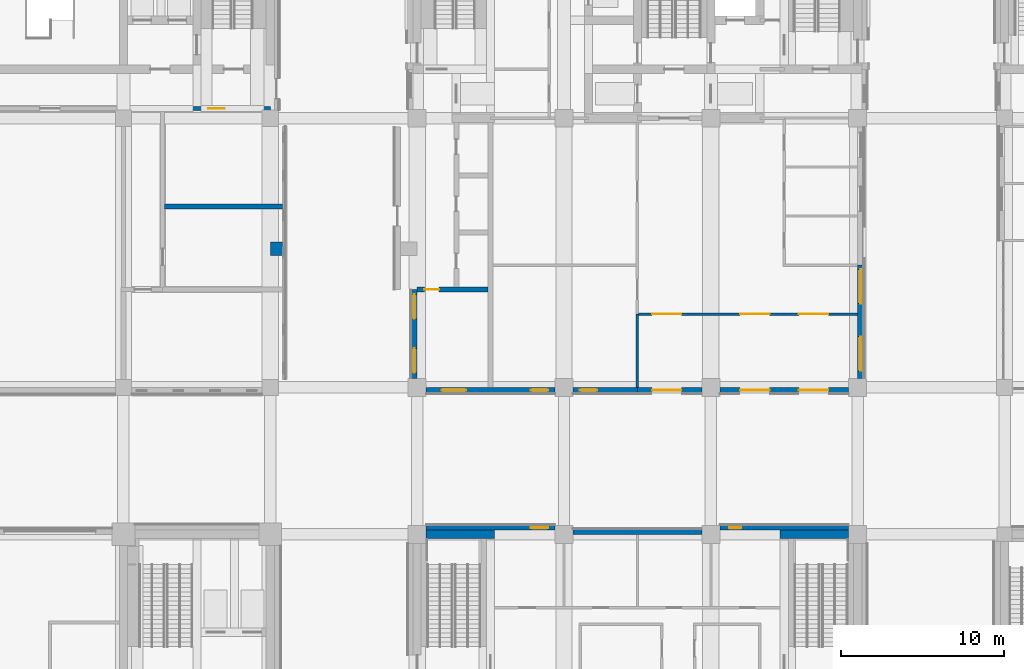
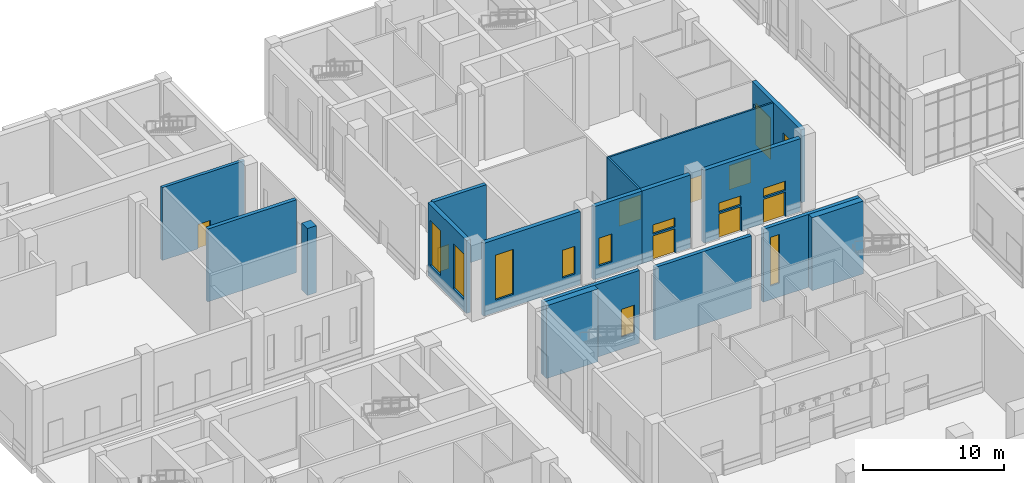
# One storey, part 12 of 35: 17 walls, 12 windows, 8 doors, 20 openings.
"""IFC4 building model written with IfcOpenShell, lengths in metres."""

import ifcopenshell
import ifcopenshell.guid

model = None  # the IFC model being written
_history = None  # IfcOwnerHistory: only IFC2X3 demands one
_inside = {}  # id of a spatial element -> (the spatial element, [elements in it])
_under = {}  # id of a project, library or spatial element -> (it, [spatial elements below it])
_declared = {}  # id of a project -> (the project, [libraries it declares])
_typed = {}  # id of a type object -> (the type object, [elements of that type])
_made_of = {}  # id of a material, layer set ... -> (it, [elements and type objects made of it])


def new_model(schema):
    """Start an empty IFC model of exactly this schema.

    Asked for "IFC4X3", IfcOpenShell would pick the latest addendum, in which some entities
    have other attributes; the version numbers below select the first issue.
    IFC2X3 requires an IfcOwnerHistory on every rooted entity: one is made here for all.
    """
    global model, _history
    if schema == "IFC4X3":
        model = ifcopenshell.file(schema_version=(4, 3, 0, 0))
    else:
        model = ifcopenshell.file(schema=schema)
    _inside.clear()
    _under.clear()
    _declared.clear()
    _typed.clear()
    _made_of.clear()
    _history = None
    if model.schema == "IFC2X3":
        org = make("IfcOrganization", Name="unknown")
        user = make(
            "IfcPersonAndOrganization",
            ThePerson=make("IfcPerson", FamilyName="unknown"),
            TheOrganization=org,
        )
        app = make(
            "IfcApplication",
            ApplicationDeveloper=org,
            Version="unknown",
            ApplicationFullName="unknown",
            ApplicationIdentifier="unknown",
        )
        _history = make(
            "IfcOwnerHistory",
            OwningUser=user,
            OwningApplication=app,
            ChangeAction="ADDED",
            CreationDate=0,
        )
    return model


def make(cls, **values):
    """One entity of the class cls with the attributes given. An attribute that is None is left unset."""
    return model.create_entity(
        cls, **{name: value for name, value in values.items() if value is not None}
    )


def rooted(cls, **values):
    """An entity with a GlobalId (a new one), such as an element, a storey or a relation."""
    return make(cls, GlobalId=ifcopenshell.guid.new(), OwnerHistory=_history, **values)


def si_unit(unit_type, name, prefix=None):
    """IfcSIUnit, for example si_unit("LENGTHUNIT", "METRE", prefix="MILLI")."""
    return make("IfcSIUnit", UnitType=unit_type, Prefix=prefix, Name=name)


def assignment(units):
    """IfcUnitAssignment: the units of a project."""
    return None if units is None else make("IfcUnitAssignment", Units=units)


def point(xyz):
    """IfcCartesianPoint."""
    return None if xyz is None else make("IfcCartesianPoint", Coordinates=xyz)


def direction(xyz):
    """IfcDirection."""
    return None if xyz is None else make("IfcDirection", DirectionRatios=xyz)


def frame(location, z_axis=None, x_axis=None):
    """IfcAxis2Placement3D, a coordinate frame: its origin and axes. An axis left out is left unset."""
    return make(
        "IfcAxis2Placement3D",
        Location=point(location),
        Axis=direction(z_axis),
        RefDirection=direction(x_axis),
    )


def frame_2d(location, x_axis=None):
    """IfcAxis2Placement2D, a coordinate frame in the plane: its origin and x axis."""
    return make(
        "IfcAxis2Placement2D", Location=point(location), RefDirection=direction(x_axis)
    )


def origin():
    """The frame at (0, 0, 0) with its axes left unset."""
    return frame((0.0, 0.0, 0.0))


def place(relative_to, where):
    """IfcLocalPlacement: puts the frame where relative to a parent placement (None: the world)."""
    return make(
        "IfcLocalPlacement", PlacementRelTo=relative_to, RelativePlacement=where
    )


def context(
    kind, dimensions, precision=None, world=None, true_north=None, identifier=None
):
    """IfcGeometricRepresentationContext, for example the 3D "Model" context."""
    return make(
        "IfcGeometricRepresentationContext",
        ContextIdentifier=identifier,
        ContextType=kind,
        CoordinateSpaceDimension=dimensions,
        Precision=precision,
        WorldCoordinateSystem=world,
        TrueNorth=true_north,
    )


def subcontext(parent, identifier, kind, view, scale=None):
    """IfcGeometricRepresentationSubContext, for example "Body" below "Model"."""
    return make(
        "IfcGeometricRepresentationSubContext",
        ContextIdentifier=identifier,
        ContextType=kind,
        ParentContext=parent,
        TargetScale=scale,
        TargetView=view,
    )


def project(units=None, contexts=None):
    """IfcProject with its units and contexts."""
    return rooted(
        "IfcProject",
        Name="project",
        RepresentationContexts=contexts,
        UnitsInContext=assignment(units),
    )


def spatial(cls, under=None, at=None, **own):
    """A site, building, storey or space (cls), placed at a placement, below another one or the project."""
    s = rooted(cls, ObjectPlacement=at, **own)
    if under is not None:
        _under.setdefault(under.id(), (under, []))[1].append(s)
    return s


def profile(cls, at=None, kind="AREA", **sizes):
    """A parametric profile (cls). Its sizes go by their IFC names, for example OverallWidth=200.0."""
    return make(cls, ProfileType=kind, Position=at, **sizes)


def rectangle(**sizes):
    """IfcRectangleProfileDef."""
    return profile("IfcRectangleProfileDef", **sizes)


def extrude(swept, where, along, depth):
    """IfcExtrudedAreaSolid: the profile swept, set in the frame where, extruded along a direction by depth."""
    return make(
        "IfcExtrudedAreaSolid",
        SweptArea=swept,
        Position=where,
        ExtrudedDirection=direction(along),
        Depth=depth,
    )


def shape(context_of_items, identifier, shape_type, items):
    """IfcShapeRepresentation: the items that make up one representation, for example the "Body"."""
    return make(
        "IfcShapeRepresentation",
        ContextOfItems=context_of_items,
        RepresentationIdentifier=identifier,
        RepresentationType=shape_type,
        Items=items,
    )


def material(Name=None, Category=None):
    """IfcMaterial."""
    return make("IfcMaterial", Name=Name, Category=Category)


def layer(
    of_material, thickness, ventilated=None, Name=None, Category=None, Priority=None
):
    """IfcMaterialLayer: one layer of a wall or slab, of a material (None: an air gap)."""
    return make(
        "IfcMaterialLayer",
        Material=of_material,
        LayerThickness=thickness,
        IsVentilated=ventilated,
        Name=Name,
        Category=Category,
        Priority=Priority,
    )


def layer_set(layers, Name=None):
    """IfcMaterialLayerSet."""
    return make("IfcMaterialLayerSet", MaterialLayers=layers, LayerSetName=Name)


def made_of(thing, what):
    """Note that an element or type object is made of a material, layer set ...; save() writes the relation."""
    if what is not None:
        _made_of.setdefault(what.id(), (what, []))[1].append(thing)
    return thing


def type_object(cls, material=None, **own):
    """A type object (cls), such as IfcWallType, which elements share."""
    return made_of(rooted(cls, **own), material)


def element(
    cls,
    number,
    at=None,
    inside=None,
    cuts=None,
    type_object=None,
    material=None,
    context=None,
    identifier="Body",
    shape_type=None,
    held_by="IfcProductDefinitionShape",
    body=None,
    shapes=None,
    **own,
):
    """One element of the class cls, such as IfcWall. Its Tag is "e" and its number.

    at: its placement. inside: the storey or other place that contains it. cuts: it is an
    opening in that element (IfcRelVoidsElement). A single representation is given by context,
    identifier, shape_type and body (its items); several are given by shapes. held_by: the class
    of the entity that holds the representations. save() writes the other relations.
    """
    e = rooted(cls, Tag="e%d" % number, ObjectPlacement=at, **own)
    if body is not None:
        shapes = [shape(context, identifier, shape_type, body)]
    if shapes is not None:
        e.Representation = make(held_by, Representations=shapes)
    if inside is not None:
        _inside.setdefault(inside.id(), (inside, []))[1].append(e)
    if cuts is not None:
        rooted(
            "IfcRelVoidsElement", RelatingBuildingElement=cuts, RelatedOpeningElement=e
        )
    if type_object is not None:
        _typed.setdefault(type_object.id(), (type_object, []))[1].append(e)
    return made_of(e, material)


def fill(opening, filler):
    """IfcRelFillsElement: the door or window that sits in an opening."""
    return rooted(
        "IfcRelFillsElement",
        RelatingOpeningElement=opening,
        RelatedBuildingElement=filler,
    )


def aggregate(whole, parts):
    """IfcRelAggregates: a whole, such as a stair, and the parts it consists of."""
    return rooted("IfcRelAggregates", RelatingObject=whole, RelatedObjects=parts)


def save(model, path):
    """Write the relations noted so far, then the file.

    IfcRelAggregates (storeys below a building ...), IfcRelContainedInSpatialStructure (elements
    in a storey), IfcRelDefinesByType, IfcRelAssociatesMaterial and IfcRelDeclares: one each for
    every whole, place, type object, material and project.
    """
    for whole, parts in _under.values():
        aggregate(whole, parts)
    for where, things in _inside.values():
        rooted(
            "IfcRelContainedInSpatialStructure",
            RelatedElements=things,
            RelatingStructure=where,
        )
    for kind, things in _typed.values():
        rooted("IfcRelDefinesByType", RelatedObjects=things, RelatingType=kind)
    for what, things in _made_of.values():
        rooted("IfcRelAssociatesMaterial", RelatedObjects=things, RelatingMaterial=what)
    for by, libraries in _declared.values():
        rooted("IfcRelDeclares", RelatingContext=by, RelatedDefinitions=libraries)
    model.write(path)


model = new_model("IFC4")

# Units and contexts
model_context = context("Model", 3, precision=1e-05, world=origin(), true_north=direction((0.0, 1.0)))
body_context = subcontext(model_context, "Body", "Model", "MODEL_VIEW")
ifc_project = project(units=[si_unit("LENGTHUNIT", "METRE"), si_unit("AREAUNIT", "SQUARE_METRE"), si_unit("VOLUMEUNIT", "CUBIC_METRE"), si_unit("PLANEANGLEUNIT", "RADIAN"), si_unit("MASSUNIT", "GRAM", prefix="KILO")], contexts=[model_context])

# Site, building, storey
site_placement = place(None, origin())
site = spatial("IfcSite", under=ifc_project, at=site_placement, CompositionType="ELEMENT")
building_placement = place(site_placement, origin())
building = spatial("IfcBuilding", under=site, at=building_placement, Name="Aurelan Courthouse", CompositionType="ELEMENT")
storey_placement = place(building_placement, origin())
storey = spatial("IfcBuildingStorey", under=building, at=storey_placement, Name="L00", CompositionType="ELEMENT", Elevation=0.0)

# Wall, opening, window
ifc_material_1 = material(Name="Limestone cladding", Category="masonry")
ifc_layer_1 = layer(ifc_material_1, 0.0849609375, Name="Facing")
ifc_material_2 = material(Name="Ventilated cavity")
ifc_layer_2 = layer(ifc_material_2, 0.02490234375, ventilated=True, Name="Ventilated cavity")
ifc_material_3 = material(Name="Mineral wool insulation")
ifc_layer_3 = layer(ifc_material_3, 0.044921875, Name="Insulation")
ifc_material_4 = material(Name="Concrete C30", Category="concrete")
ifc_layer_4 = layer(ifc_material_4, 0.14501953125, Name="Structure")
ifc_layer_set_1 = layer_set([ifc_layer_1, ifc_layer_2, ifc_layer_3, ifc_layer_4], Name="Concrete C30")
wall_type_1 = type_object("IfcWallType", Name="Ceremonial Court stone-faced wall 300", PredefinedType="SOLIDWALL", material=ifc_layer_set_1)
wall_1_placement = place(storey_placement, frame((36.550048828125, 28.89990234375, 0.0), z_axis=(0.0, 0.0, 1.0), x_axis=(1.0, 0.0, 0.0)))
wall_1 = element("IfcWall", 1, at=wall_1_placement, inside=storey, type_object=wall_type_1, Name="Facade wall FW-V1-L00-001", PredefinedType="SOLIDWALL", context=body_context, shape_type="SweptSolid", body=[
    extrude(rectangle(XDim=7.89990234375, YDim=0.300048828125, at=frame_2d((3.949951171875, 0.0))), origin(), (0.0, 0.0, 1.0), 6.300048828125),
])
opening_1_placement = place(wall_1_placement, frame((6.425048828125, 0.0, 1.050048828125)))
opening_1 = element("IfcOpeningElement", 2, at=opening_1_placement, cuts=wall_1, Name="Opening WN-V1-L00-001", PredefinedType="OPENING", context=body_context, shape_type="SweptSolid", body=[
    extrude(rectangle(XDim=1.050048828125, YDim=2.39990234375, at=frame_2d((0.52490234375, 1.199951171875))), frame((0.0, 0.159912109375, 0.0), z_axis=(0.0, -1.0, 0.0), x_axis=(1.0, 0.0, 0.0)), (0.0, 0.0, 1.0), 0.320068359375),
])
ifc_material_5 = material(Name="Bronze-finished aluminium and glass", Category="aluminium")
window_type_1 = type_object("IfcWindowType", Name="Ceremonial Court window 1050 x 2400, sill 1050", PartitioningType="SINGLE_PANEL", PredefinedType="WINDOW", material=ifc_material_5)
window_1_placement = place(opening_1_placement, origin())
window_1 = element("IfcWindow", 3, at=window_1_placement, inside=storey, type_object=window_type_1, Name="Window WN-V1-L00-001", OverallHeight=2.39990234375, OverallWidth=1.050048828125, PartitioningType="SINGLE_PANEL", PredefinedType="WINDOW", context=body_context, shape_type="SweptSolid", body=[
    extrude(rectangle(XDim=1.050048828125, YDim=2.39990234375, at=frame_2d((0.52490234375, 1.199951171875))), frame((0.0, 0.030029296875, 0.0), z_axis=(0.0, -1.0, 0.0), x_axis=(1.0, 0.0, 0.0)), (0.0, 0.0, 1.0), 0.06005859375),
])
fill(opening_1, window_1)

# Wall
wall_2_placement = place(storey_placement, frame((45.550048828125, 28.64990234375, 0.0), z_axis=(0.0, 0.0, 1.0), x_axis=(1.0, 0.0, 0.0)))
element("IfcWall", 4, at=wall_2_placement, inside=storey, type_object=wall_type_1, Name="Facade wall FW-V1-L00-002", PredefinedType="SOLIDWALL", context=body_context, shape_type="SweptSolid", body=[
    extrude(rectangle(XDim=7.89990234375, YDim=0.300048828125, at=frame_2d((3.949951171875, 0.0))), origin(), (0.0, 0.0, 1.0), 6.300048828125),
])

# Wall, opening, window
wall_3_placement = place(storey_placement, frame((54.550048828125, 28.89990234375, 0.0), z_axis=(0.0, 0.0, 1.0), x_axis=(1.0, 0.0, 0.0)))
wall_3 = element("IfcWall", 5, at=wall_3_placement, inside=storey, type_object=wall_type_1, Name="Facade wall FW-V1-L00-003", PredefinedType="SOLIDWALL", context=body_context, shape_type="SweptSolid", body=[
    extrude(rectangle(XDim=7.89990234375, YDim=0.300048828125, at=frame_2d((3.949951171875, 0.0))), origin(), (0.0, 0.0, 1.0), 6.300048828125),
])
opening_2_placement = place(wall_3_placement, frame((0.574951171875, 0.0, 1.199951171875)))
opening_2 = element("IfcOpeningElement", 6, at=opening_2_placement, cuts=wall_3, Name="Opening WN-V1-L00-002", PredefinedType="OPENING", context=body_context, shape_type="SweptSolid", body=[
    extrude(rectangle(XDim=0.75, YDim=4.199951171875, at=frame_2d((0.375, 2.10009765625))), frame((0.0, 0.159912109375, 0.0), z_axis=(0.0, -1.0, 0.0), x_axis=(1.0, 0.0, 0.0)), (0.0, 0.0, 1.0), 0.320068359375),
])
window_type_2 = type_object("IfcWindowType", Name="Ceremonial Court slit window 750 x 4200, sill 1200", PartitioningType="SINGLE_PANEL", PredefinedType="WINDOW", material=ifc_material_5)
window_2_placement = place(opening_2_placement, origin())
window_2 = element("IfcWindow", 7, at=window_2_placement, inside=storey, type_object=window_type_2, Name="Slit window WN-V1-L00-002", OverallHeight=4.199951171875, OverallWidth=0.75, PartitioningType="SINGLE_PANEL", PredefinedType="WINDOW", context=body_context, shape_type="SweptSolid", body=[
    extrude(rectangle(XDim=0.75, YDim=4.199951171875, at=frame_2d((0.375, 2.10009765625))), frame((0.0, 0.030029296875, 0.0), z_axis=(0.0, -1.0, 0.0), x_axis=(1.0, 0.0, 0.0)), (0.0, 0.0, 1.0), 0.06005859375),
])
fill(opening_2, window_2)

# Wall, openings, doors
ifc_material_6 = material(Name="Gypsum board on metal studs")
ifc_layer_5 = layer(ifc_material_6, 0.14990234375)
ifc_layer_set_2 = layer_set([ifc_layer_5], Name="Gypsum board on metal studs")
wall_type_2 = type_object("IfcWallType", Name="Corridor partition 150 EI 60", PredefinedType="PARTITIONING", material=ifc_layer_set_2)
wall_4_placement = place(storey_placement, frame((49.425048828125, 42.0, 0.0), z_axis=(0.0, 0.0, 1.0), x_axis=(1.0, 0.0, 0.0)))
wall_4 = element("IfcWall", 8, at=wall_4_placement, inside=storey, type_object=wall_type_2, Name="Corridor partition L00-024", PredefinedType="PARTITIONING", context=body_context, shape_type="SweptSolid", body=[
    extrude(rectangle(XDim=13.574951171875, YDim=0.14990234375, at=frame_2d((6.78759765625, 0.0))), origin(), (0.0, 0.0, 1.0), 6.300048828125),
])
opening_3_placement = place(wall_4_placement, frame((2.775146484375, 0.0, 0.0), z_axis=(0.0, 0.0, 1.0), x_axis=(-1.0, 0.0, 0.0)))
opening_3 = element("IfcOpeningElement", 9, at=opening_3_placement, cuts=wall_4, Name="Opening D-L00-038", PredefinedType="OPENING", context=body_context, shape_type="SweptSolid", body=[
    extrude(rectangle(XDim=1.800048828125, YDim=2.10009765625, at=frame_2d((0.89990234375, 1.050048828125))), frame((0.0, 0.0849609375, 0.0), z_axis=(0.0, -1.0, 0.0), x_axis=(1.0, 0.0, 0.0)), (0.0, 0.0, 1.0), 0.169921875),
])
opening_4_placement = place(wall_4_placement, frame((8.175048828125, 0.0, 0.0), z_axis=(0.0, 0.0, 1.0), x_axis=(-1.0, 0.0, 0.0)))
opening_4 = element("IfcOpeningElement", 10, at=opening_4_placement, cuts=wall_4, Name="Opening D-L00-040", PredefinedType="OPENING", context=body_context, shape_type="SweptSolid", body=[
    extrude(rectangle(XDim=1.800048828125, YDim=2.10009765625, at=frame_2d((0.89990234375, 1.050048828125))), frame((0.0, 0.0849609375, 0.0), z_axis=(0.0, -1.0, 0.0), x_axis=(1.0, 0.0, 0.0)), (0.0, 0.0, 1.0), 0.169921875),
])
opening_5_placement = place(wall_4_placement, frame((11.775146484375, 0.0, 0.0), z_axis=(0.0, 0.0, 1.0), x_axis=(-1.0, 0.0, 0.0)))
opening_5 = element("IfcOpeningElement", 11, at=opening_5_placement, cuts=wall_4, Name="Opening D-L00-042", PredefinedType="OPENING", context=body_context, shape_type="SweptSolid", body=[
    extrude(rectangle(XDim=1.800048828125, YDim=2.10009765625, at=frame_2d((0.89990234375, 1.050048828125))), frame((0.0, 0.0849609375, 0.0), z_axis=(0.0, -1.0, 0.0), x_axis=(1.0, 0.0, 0.0)), (0.0, 0.0, 1.0), 0.169921875),
])
ifc_material_7 = material(Name="Steel", Category="steel")
door_type_1 = type_object("IfcDoorType", Name="Double door 1800 x 2100 FD60", OperationType="DOUBLE_DOOR_SINGLE_SWING", PredefinedType="DOOR", material=ifc_material_7)
door_1_placement = place(opening_3_placement, origin())
door_1 = element("IfcDoor", 12, at=door_1_placement, inside=storey, type_object=door_type_1, Name="Double door D-L00-038", OperationType="DOUBLE_DOOR_SINGLE_SWING", OverallHeight=2.10009765625, OverallWidth=1.800048828125, PredefinedType="DOOR", context=body_context, shape_type="SweptSolid", body=[
    extrude(rectangle(XDim=1.800048828125, YDim=2.10009765625, at=frame_2d((0.89990234375, 1.050048828125))), frame((0.0, 0.02490234375, 0.0), z_axis=(0.0, -1.0, 0.0), x_axis=(1.0, 0.0, 0.0)), (0.0, 0.0, 1.0), 0.050048828125),
])
fill(opening_3, door_1)
door_2_placement = place(opening_4_placement, origin())
door_2 = element("IfcDoor", 13, at=door_2_placement, inside=storey, type_object=door_type_1, Name="Double door D-L00-040", OperationType="DOUBLE_DOOR_SINGLE_SWING", OverallHeight=2.10009765625, OverallWidth=1.800048828125, PredefinedType="DOOR", context=body_context, shape_type="SweptSolid", body=[
    extrude(rectangle(XDim=1.800048828125, YDim=2.10009765625, at=frame_2d((0.89990234375, 1.050048828125))), frame((0.0, 0.02490234375, 0.0), z_axis=(0.0, -1.0, 0.0), x_axis=(1.0, 0.0, 0.0)), (0.0, 0.0, 1.0), 0.050048828125),
])
fill(opening_4, door_2)
door_3_placement = place(opening_5_placement, origin())
door_3 = element("IfcDoor", 14, at=door_3_placement, inside=storey, type_object=door_type_1, Name="Double door D-L00-042", OperationType="DOUBLE_DOOR_SINGLE_SWING", OverallHeight=2.10009765625, OverallWidth=1.800048828125, PredefinedType="DOOR", context=body_context, shape_type="SweptSolid", body=[
    extrude(rectangle(XDim=1.800048828125, YDim=2.10009765625, at=frame_2d((0.89990234375, 1.050048828125))), frame((0.0, 0.02490234375, 0.0), z_axis=(0.0, -1.0, 0.0), x_axis=(1.0, 0.0, 0.0)), (0.0, 0.0, 1.0), 0.050048828125),
])
fill(opening_5, door_3)

# Wall, openings, windows
ifc_material_8 = material(Name="Granite cladding", Category="masonry")
ifc_layer_6 = layer(ifc_material_8, 0.10009765625, Name="Facing")
ifc_layer_7 = layer(ifc_material_2, 0.02490234375, ventilated=True, Name="Ventilated cavity")
ifc_layer_8 = layer(ifc_material_3, 0.050048828125, Name="Insulation")
ifc_layer_9 = layer(ifc_material_4, 0.175048828125, Name="Structure")
ifc_layer_set_3 = layer_set([ifc_layer_6, ifc_layer_7, ifc_layer_8, ifc_layer_9], Name="Concrete C30")
wall_type_3 = type_object("IfcWallType", Name="Courtroom Block granite-faced wall 350", PredefinedType="SOLIDWALL", material=ifc_layer_set_3)
wall_5_placement = place(storey_placement, frame((36.550048828125, 37.324951171875, 0.0), z_axis=(0.0, 0.0, 1.0), x_axis=(1.0, 0.0, 0.0)))
wall_5 = element("IfcWall", 15, at=wall_5_placement, inside=storey, type_object=wall_type_3, Name="Facade wall FW-V2-L00-001", PredefinedType="SOLIDWALL", context=body_context, shape_type="SweptSolid", body=[
    extrude(rectangle(XDim=7.89990234375, YDim=0.35009765625, at=frame_2d((3.949951171875, 0.0))), origin(), (0.0, 0.0, 1.0), 6.300048828125),
])
opening_6_placement = place(wall_5_placement, frame((6.425048828125, 0.0, 1.050048828125)))
opening_6 = element("IfcOpeningElement", 16, at=opening_6_placement, cuts=wall_5, Name="Opening WN-V2-L00-001", PredefinedType="OPENING", context=body_context, shape_type="SweptSolid", body=[
    extrude(rectangle(XDim=1.050048828125, YDim=2.39990234375, at=frame_2d((0.52490234375, 1.199951171875))), frame((0.0, 0.18505859375, 0.0), z_axis=(0.0, -1.0, 0.0), x_axis=(1.0, 0.0, 0.0)), (0.0, 0.0, 1.0), 0.3701171875),
])
opening_7_placement = place(wall_5_placement, frame((0.949951171875, 0.0, 1.050048828125)))
opening_7 = element("IfcOpeningElement", 17, at=opening_7_placement, cuts=wall_5, Name="Opening WN-V2-L00-002", PredefinedType="OPENING", context=body_context, shape_type="SweptSolid", body=[
    extrude(rectangle(XDim=1.5, YDim=3.89990234375, at=frame_2d((0.75, 1.949951171875))), frame((0.0, 0.18505859375, 0.0), z_axis=(0.0, -1.0, 0.0), x_axis=(1.0, 0.0, 0.0)), (0.0, 0.0, 1.0), 0.3701171875),
])
window_type_3 = type_object("IfcWindowType", Name="Courtroom Block glazed slot 1500 x 3900, sill 1050", PartitioningType="SINGLE_PANEL", PredefinedType="WINDOW", material=ifc_material_5)
window_3_placement = place(opening_7_placement, origin())
window_3 = element("IfcWindow", 18, at=window_3_placement, inside=storey, type_object=window_type_3, Name="Glazed slot WN-V2-L00-002", OverallHeight=3.89990234375, OverallWidth=1.5, PartitioningType="SINGLE_PANEL", PredefinedType="WINDOW", context=body_context, shape_type="SweptSolid", body=[
    extrude(rectangle(XDim=1.5, YDim=3.89990234375, at=frame_2d((0.75, 1.949951171875))), frame((0.0, 0.030029296875, 0.0), z_axis=(0.0, -1.0, 0.0), x_axis=(1.0, 0.0, 0.0)), (0.0, 0.0, 1.0), 0.06005859375),
])
fill(opening_7, window_3)
window_type_4 = type_object("IfcWindowType", Name="Courtroom Block window 1050 x 2400, sill 1050", PartitioningType="SINGLE_PANEL", PredefinedType="WINDOW", material=ifc_material_5)
window_4_placement = place(opening_6_placement, origin())
window_4 = element("IfcWindow", 19, at=window_4_placement, inside=storey, type_object=window_type_4, Name="Window WN-V2-L00-001", OverallHeight=2.39990234375, OverallWidth=1.050048828125, PartitioningType="SINGLE_PANEL", PredefinedType="WINDOW", context=body_context, shape_type="SweptSolid", body=[
    extrude(rectangle(XDim=1.050048828125, YDim=2.39990234375, at=frame_2d((0.52490234375, 1.199951171875))), frame((0.0, 0.030029296875, 0.0), z_axis=(0.0, -1.0, 0.0), x_axis=(1.0, 0.0, 0.0)), (0.0, 0.0, 1.0), 0.06005859375),
])
fill(opening_6, window_4)

# Wall, opening, window
wall_6_placement = place(storey_placement, frame((45.550048828125, 37.324951171875, 0.0), z_axis=(0.0, 0.0, 1.0), x_axis=(1.0, 0.0, 0.0)))
wall_6 = element("IfcWall", 20, at=wall_6_placement, inside=storey, type_object=wall_type_3, Name="Facade wall FW-V2-L00-002", PredefinedType="SOLIDWALL", context=body_context, shape_type="SweptSolid", body=[
    extrude(rectangle(XDim=3.949951171875, YDim=0.35009765625, at=frame_2d((1.97509765625, 0.0))), origin(), (0.0, 0.0, 1.0), 6.300048828125),
])
opening_8_placement = place(wall_6_placement, frame((0.425048828125, 0.0, 1.050048828125)))
opening_8 = element("IfcOpeningElement", 21, at=opening_8_placement, cuts=wall_6, Name="Opening WN-V2-L00-003", PredefinedType="OPENING", context=body_context, shape_type="SweptSolid", body=[
    extrude(rectangle(XDim=1.050048828125, YDim=2.39990234375, at=frame_2d((0.52490234375, 1.199951171875))), frame((0.0, 0.18505859375, 0.0), z_axis=(0.0, -1.0, 0.0), x_axis=(1.0, 0.0, 0.0)), (0.0, 0.0, 1.0), 0.3701171875),
])
window_5_placement = place(opening_8_placement, origin())
window_5 = element("IfcWindow", 22, at=window_5_placement, inside=storey, type_object=window_type_4, Name="Window WN-V2-L00-003", OverallHeight=2.39990234375, OverallWidth=1.050048828125, PartitioningType="SINGLE_PANEL", PredefinedType="WINDOW", context=body_context, shape_type="SweptSolid", body=[
    extrude(rectangle(XDim=1.050048828125, YDim=2.39990234375, at=frame_2d((0.52490234375, 1.199951171875))), frame((0.0, 0.030029296875, 0.0), z_axis=(0.0, -1.0, 0.0), x_axis=(1.0, 0.0, 0.0)), (0.0, 0.0, 1.0), 0.06005859375),
])
fill(opening_8, window_5)

# Wall, openings, door, window
wall_7_placement = place(storey_placement, frame((49.5, 37.324951171875, 0.0), z_axis=(0.0, 0.0, 1.0), x_axis=(1.0, 0.0, 0.0)))
wall_7 = element("IfcWall", 23, at=wall_7_placement, inside=storey, type_object=wall_type_3, Name="Facade wall FW-V2-L00-003", PredefinedType="SOLIDWALL", context=body_context, shape_type="SweptSolid", body=[
    extrude(rectangle(XDim=3.949951171875, YDim=0.35009765625, at=frame_2d((1.97509765625, 0.0))), origin(), (0.0, 0.0, 1.0), 6.300048828125),
])
opening_9_placement = place(wall_7_placement, frame((2.699951171875, 0.0, 0.0), z_axis=(0.0, 0.0, 1.0), x_axis=(-1.0, 0.0, 0.0)))
opening_9 = element("IfcOpeningElement", 24, at=opening_9_placement, cuts=wall_7, Name="Opening D-L00-037", PredefinedType="OPENING", context=body_context, shape_type="SweptSolid", body=[
    extrude(rectangle(XDim=1.800048828125, YDim=2.10009765625, at=frame_2d((0.89990234375, 1.050048828125))), frame((0.0, 0.18505859375, 0.0), z_axis=(0.0, -1.0, 0.0), x_axis=(1.0, 0.0, 0.0)), (0.0, 0.0, 1.0), 0.3701171875),
])
opening_10_placement = place(wall_7_placement, frame((0.89990234375, 0.0, 2.25)))
opening_10 = element("IfcOpeningElement", 25, at=opening_10_placement, cuts=wall_7, Name="Opening WN-V2-L00-004", PredefinedType="OPENING", context=body_context, shape_type="SweptSolid", body=[
    extrude(rectangle(XDim=1.800048828125, YDim=0.800048828125, at=frame_2d((0.89990234375, 0.39990234375))), frame((0.0, 0.18505859375, 0.0), z_axis=(0.0, -1.0, 0.0), x_axis=(1.0, 0.0, 0.0)), (0.0, 0.0, 1.0), 0.3701171875),
])
ifc_material_9 = material(Name="Bronze-clad timber", Category="wood")
door_type_2 = type_object("IfcDoorType", Name="Bronze double door 1800 x 2100", OperationType="SINGLE_SWING_LEFT", PredefinedType="DOOR", material=ifc_material_9)
door_4_placement = place(opening_9_placement, origin())
door_4 = element("IfcDoor", 26, at=door_4_placement, inside=storey, type_object=door_type_2, Name="Entrance door D-L00-037", OperationType="DOUBLE_DOOR_SINGLE_SWING", OverallHeight=2.10009765625, OverallWidth=1.800048828125, PredefinedType="DOOR", context=body_context, shape_type="SweptSolid", body=[
    extrude(rectangle(XDim=1.800048828125, YDim=2.10009765625, at=frame_2d((0.89990234375, 1.050048828125))), frame((0.0, 0.02490234375, 0.0), z_axis=(0.0, -1.0, 0.0), x_axis=(1.0, 0.0, 0.0)), (0.0, 0.0, 1.0), 0.050048828125),
])
fill(opening_9, door_4)
window_type_5 = type_object("IfcWindowType", Name="Courtroom Block transom light 1800 x 800, sill 2250", PartitioningType="SINGLE_PANEL", PredefinedType="WINDOW", material=ifc_material_5)
window_6_placement = place(opening_10_placement, origin())
window_6 = element("IfcWindow", 27, at=window_6_placement, inside=storey, type_object=window_type_5, Name="Transom light WN-V2-L00-004", OverallHeight=0.800048828125, OverallWidth=1.800048828125, PartitioningType="SINGLE_PANEL", PredefinedType="WINDOW", context=body_context, shape_type="SweptSolid", body=[
    extrude(rectangle(XDim=1.800048828125, YDim=0.800048828125, at=frame_2d((0.89990234375, 0.39990234375))), frame((0.0, 0.030029296875, 0.0), z_axis=(0.0, -1.0, 0.0), x_axis=(1.0, 0.0, 0.0)), (0.0, 0.0, 1.0), 0.06005859375),
])
fill(opening_10, window_6)

# Wall, openings, doors, windows
wall_8_placement = place(storey_placement, frame((54.550048828125, 37.324951171875, 0.0), z_axis=(0.0, 0.0, 1.0), x_axis=(1.0, 0.0, 0.0)))
wall_8 = element("IfcWall", 28, at=wall_8_placement, inside=storey, type_object=wall_type_3, Name="Facade wall FW-V2-L00-004", PredefinedType="SOLIDWALL", context=body_context, shape_type="SweptSolid", body=[
    extrude(rectangle(XDim=7.89990234375, YDim=0.35009765625, at=frame_2d((3.949951171875, 0.0))), origin(), (0.0, 0.0, 1.0), 6.300048828125),
])
opening_11_placement = place(wall_8_placement, frame((3.050048828125, 0.0, 0.0), z_axis=(0.0, 0.0, 1.0), x_axis=(-1.0, 0.0, 0.0)))
opening_11 = element("IfcOpeningElement", 29, at=opening_11_placement, cuts=wall_8, Name="Opening D-L00-039", PredefinedType="OPENING", context=body_context, shape_type="SweptSolid", body=[
    extrude(rectangle(XDim=1.800048828125, YDim=2.10009765625, at=frame_2d((0.89990234375, 1.050048828125))), frame((0.0, 0.18505859375, 0.0), z_axis=(0.0, -1.0, 0.0), x_axis=(1.0, 0.0, 0.0)), (0.0, 0.0, 1.0), 0.3701171875),
])
opening_12_placement = place(wall_8_placement, frame((1.25, 0.0, 2.25)))
opening_12 = element("IfcOpeningElement", 30, at=opening_12_placement, cuts=wall_8, Name="Opening WN-V2-L00-005", PredefinedType="OPENING", context=body_context, shape_type="SweptSolid", body=[
    extrude(rectangle(XDim=1.800048828125, YDim=0.800048828125, at=frame_2d((0.89990234375, 0.39990234375))), frame((0.0, 0.18505859375, 0.0), z_axis=(0.0, -1.0, 0.0), x_axis=(1.0, 0.0, 0.0)), (0.0, 0.0, 1.0), 0.3701171875),
])
opening_13_placement = place(wall_8_placement, frame((6.650146484375, 0.0, 0.0), z_axis=(0.0, 0.0, 1.0), x_axis=(-1.0, 0.0, 0.0)))
opening_13 = element("IfcOpeningElement", 31, at=opening_13_placement, cuts=wall_8, Name="Opening D-L00-041", PredefinedType="OPENING", context=body_context, shape_type="SweptSolid", body=[
    extrude(rectangle(XDim=1.800048828125, YDim=2.10009765625, at=frame_2d((0.89990234375, 1.050048828125))), frame((0.0, 0.18505859375, 0.0), z_axis=(0.0, -1.0, 0.0), x_axis=(1.0, 0.0, 0.0)), (0.0, 0.0, 1.0), 0.3701171875),
])
opening_14_placement = place(wall_8_placement, frame((4.85009765625, 0.0, 2.25)))
opening_14 = element("IfcOpeningElement", 32, at=opening_14_placement, cuts=wall_8, Name="Opening WN-V2-L00-006", PredefinedType="OPENING", context=body_context, shape_type="SweptSolid", body=[
    extrude(rectangle(XDim=1.800048828125, YDim=0.800048828125, at=frame_2d((0.89990234375, 0.39990234375))), frame((0.0, 0.18505859375, 0.0), z_axis=(0.0, -1.0, 0.0), x_axis=(1.0, 0.0, 0.0)), (0.0, 0.0, 1.0), 0.3701171875),
])
door_5_placement = place(opening_11_placement, origin())
door_5 = element("IfcDoor", 33, at=door_5_placement, inside=storey, type_object=door_type_2, Name="Entrance door D-L00-039", OperationType="DOUBLE_DOOR_SINGLE_SWING", OverallHeight=2.10009765625, OverallWidth=1.800048828125, PredefinedType="DOOR", context=body_context, shape_type="SweptSolid", body=[
    extrude(rectangle(XDim=1.800048828125, YDim=2.10009765625, at=frame_2d((0.89990234375, 1.050048828125))), frame((0.0, 0.02490234375, 0.0), z_axis=(0.0, -1.0, 0.0), x_axis=(1.0, 0.0, 0.0)), (0.0, 0.0, 1.0), 0.050048828125),
])
fill(opening_11, door_5)
door_6_placement = place(opening_13_placement, origin())
door_6 = element("IfcDoor", 34, at=door_6_placement, inside=storey, type_object=door_type_2, Name="Entrance door D-L00-041", OperationType="DOUBLE_DOOR_SINGLE_SWING", OverallHeight=2.10009765625, OverallWidth=1.800048828125, PredefinedType="DOOR", context=body_context, shape_type="SweptSolid", body=[
    extrude(rectangle(XDim=1.800048828125, YDim=2.10009765625, at=frame_2d((0.89990234375, 1.050048828125))), frame((0.0, 0.02490234375, 0.0), z_axis=(0.0, -1.0, 0.0), x_axis=(1.0, 0.0, 0.0)), (0.0, 0.0, 1.0), 0.050048828125),
])
fill(opening_13, door_6)
window_7_placement = place(opening_12_placement, origin())
window_7 = element("IfcWindow", 35, at=window_7_placement, inside=storey, type_object=window_type_5, Name="Transom light WN-V2-L00-005", OverallHeight=0.800048828125, OverallWidth=1.800048828125, PartitioningType="SINGLE_PANEL", PredefinedType="WINDOW", context=body_context, shape_type="SweptSolid", body=[
    extrude(rectangle(XDim=1.800048828125, YDim=0.800048828125, at=frame_2d((0.89990234375, 0.39990234375))), frame((0.0, 0.030029296875, 0.0), z_axis=(0.0, -1.0, 0.0), x_axis=(1.0, 0.0, 0.0)), (0.0, 0.0, 1.0), 0.06005859375),
])
fill(opening_12, window_7)
window_8_placement = place(opening_14_placement, origin())
window_8 = element("IfcWindow", 36, at=window_8_placement, inside=storey, type_object=window_type_5, Name="Transom light WN-V2-L00-006", OverallHeight=0.800048828125, OverallWidth=1.800048828125, PartitioningType="SINGLE_PANEL", PredefinedType="WINDOW", context=body_context, shape_type="SweptSolid", body=[
    extrude(rectangle(XDim=1.800048828125, YDim=0.800048828125, at=frame_2d((0.89990234375, 0.39990234375))), frame((0.0, 0.030029296875, 0.0), z_axis=(0.0, -1.0, 0.0), x_axis=(1.0, 0.0, 0.0)), (0.0, 0.0, 1.0), 0.06005859375),
])
fill(opening_14, window_8)

# Wall, openings, windows
wall_9_placement = place(storey_placement, frame((63.175048828125, 38.050048828125, 0.0), z_axis=(0.0, 0.0, 1.0), x_axis=(0.0, 1.0, 0.0)))
wall_9 = element("IfcWall", 37, at=wall_9_placement, inside=storey, type_object=wall_type_3, Name="Facade wall FW-V2-L00-008", PredefinedType="SOLIDWALL", context=body_context, shape_type="SweptSolid", body=[
    extrude(rectangle(XDim=6.949951171875, YDim=0.35009765625, at=frame_2d((3.47509765625, 0.0))), origin(), (0.0, 0.0, 1.0), 6.300048828125),
])
opening_15_placement = place(wall_9_placement, frame((0.46240234375, 0.0, 0.89990234375)))
opening_15 = element("IfcOpeningElement", 38, at=opening_15_placement, cuts=wall_9, Name="Opening WN-V2-L00-008", PredefinedType="OPENING", context=body_context, shape_type="SweptSolid", body=[
    extrude(rectangle(XDim=2.10009765625, YDim=3.60009765625, at=frame_2d((1.050048828125, 1.800048828125))), frame((0.0, 0.18505859375, 0.0), z_axis=(0.0, -1.0, 0.0), x_axis=(1.0, 0.0, 0.0)), (0.0, 0.0, 1.0), 0.3701171875),
])
opening_16_placement = place(wall_9_placement, frame((4.58740234375, 0.0, 0.89990234375)))
opening_16 = element("IfcOpeningElement", 39, at=opening_16_placement, cuts=wall_9, Name="Opening WN-V2-L00-009", PredefinedType="OPENING", context=body_context, shape_type="SweptSolid", body=[
    extrude(rectangle(XDim=2.10009765625, YDim=3.60009765625, at=frame_2d((1.050048828125, 1.800048828125))), frame((0.0, 0.18505859375, 0.0), z_axis=(0.0, -1.0, 0.0), x_axis=(1.0, 0.0, 0.0)), (0.0, 0.0, 1.0), 0.3701171875),
])
window_type_6 = type_object("IfcWindowType", Name="Courtroom Block window 2100 x 3600, sill 900", PartitioningType="SINGLE_PANEL", PredefinedType="WINDOW", material=ifc_material_5)
window_9_placement = place(opening_15_placement, origin())
window_9 = element("IfcWindow", 40, at=window_9_placement, inside=storey, type_object=window_type_6, Name="Window WN-V2-L00-008", OverallHeight=3.60009765625, OverallWidth=2.10009765625, PartitioningType="SINGLE_PANEL", PredefinedType="WINDOW", context=body_context, shape_type="SweptSolid", body=[
    extrude(rectangle(XDim=2.10009765625, YDim=3.60009765625, at=frame_2d((1.050048828125, 1.800048828125))), frame((0.0, 0.030029296875, 0.0), z_axis=(0.0, -1.0, 0.0), x_axis=(1.0, 0.0, 0.0)), (0.0, 0.0, 1.0), 0.06005859375),
])
fill(opening_15, window_9)
window_10_placement = place(opening_16_placement, origin())
window_10 = element("IfcWindow", 41, at=window_10_placement, inside=storey, type_object=window_type_6, Name="Window WN-V2-L00-009", OverallHeight=3.60009765625, OverallWidth=2.10009765625, PartitioningType="SINGLE_PANEL", PredefinedType="WINDOW", context=body_context, shape_type="SweptSolid", body=[
    extrude(rectangle(XDim=2.10009765625, YDim=3.60009765625, at=frame_2d((1.050048828125, 1.800048828125))), frame((0.0, 0.030029296875, 0.0), z_axis=(0.0, -1.0, 0.0), x_axis=(1.0, 0.0, 0.0)), (0.0, 0.0, 1.0), 0.06005859375),
])
fill(opening_16, window_10)

wall_10_placement = place(storey_placement, frame((35.824951171875, 38.050048828125, 0.0), z_axis=(0.0, 0.0, 1.0), x_axis=(0.0, 1.0, 0.0)))
wall_10 = element("IfcWall", 42, at=wall_10_placement, inside=storey, type_object=wall_type_3, Name="Facade wall FW-V2-L00-013", PredefinedType="SOLIDWALL", context=body_context, shape_type="SweptSolid", body=[
    extrude(rectangle(XDim=5.449951171875, YDim=0.35009765625, at=frame_2d((2.72509765625, 0.0))), origin(), (0.0, 0.0, 1.0), 6.300048828125),
])
opening_17_placement = place(wall_10_placement, frame((0.35009765625, 0.0, 1.050048828125)))
opening_17 = element("IfcOpeningElement", 43, at=opening_17_placement, cuts=wall_10, Name="Opening WN-V2-L00-013", PredefinedType="OPENING", context=body_context, shape_type="SweptSolid", body=[
    extrude(rectangle(XDim=1.5, YDim=3.89990234375, at=frame_2d((0.75, 1.949951171875))), frame((0.0, 0.18505859375, 0.0), z_axis=(0.0, -1.0, 0.0), x_axis=(1.0, 0.0, 0.0)), (0.0, 0.0, 1.0), 0.3701171875),
])
opening_18_placement = place(wall_10_placement, frame((3.64990234375, 0.0, 1.050048828125)))
opening_18 = element("IfcOpeningElement", 44, at=opening_18_placement, cuts=wall_10, Name="Opening WN-V2-L00-014", PredefinedType="OPENING", context=body_context, shape_type="SweptSolid", body=[
    extrude(rectangle(XDim=1.5, YDim=3.89990234375, at=frame_2d((0.75, 1.949951171875))), frame((0.0, 0.18505859375, 0.0), z_axis=(0.0, -1.0, 0.0), x_axis=(1.0, 0.0, 0.0)), (0.0, 0.0, 1.0), 0.3701171875),
])
window_11_placement = place(opening_17_placement, origin())
window_11 = element("IfcWindow", 45, at=window_11_placement, inside=storey, type_object=window_type_3, Name="Glazed slot WN-V2-L00-013", OverallHeight=3.89990234375, OverallWidth=1.5, PartitioningType="SINGLE_PANEL", PredefinedType="WINDOW", context=body_context, shape_type="SweptSolid", body=[
    extrude(rectangle(XDim=1.5, YDim=3.89990234375, at=frame_2d((0.75, 1.949951171875))), frame((0.0, 0.030029296875, 0.0), z_axis=(0.0, -1.0, 0.0), x_axis=(1.0, 0.0, 0.0)), (0.0, 0.0, 1.0), 0.06005859375),
])
fill(opening_17, window_11)
window_12_placement = place(opening_18_placement, origin())
window_12 = element("IfcWindow", 46, at=window_12_placement, inside=storey, type_object=window_type_3, Name="Glazed slot WN-V2-L00-014", OverallHeight=3.89990234375, OverallWidth=1.5, PartitioningType="SINGLE_PANEL", PredefinedType="WINDOW", context=body_context, shape_type="SweptSolid", body=[
    extrude(rectangle(XDim=1.5, YDim=3.89990234375, at=frame_2d((0.75, 1.949951171875))), frame((0.0, 0.030029296875, 0.0), z_axis=(0.0, -1.0, 0.0), x_axis=(1.0, 0.0, 0.0)), (0.0, 0.0, 1.0), 0.06005859375),
])
fill(opening_18, window_12)

# Wall, opening, door
ifc_layer_10 = layer(ifc_material_4, 0.300048828125)
ifc_layer_set_4 = layer_set([ifc_layer_10], Name="Concrete C30")
wall_type_4 = type_object("IfcWallType", Name="Custody wall 300 EI 120", PredefinedType="PARTITIONING", material=ifc_layer_set_4)
wall_11_placement = place(storey_placement, frame((36.0, 43.5, 0.0), z_axis=(0.0, 0.0, 1.0), x_axis=(1.0, 0.0, 0.0)))
wall_11 = element("IfcWall", 47, at=wall_11_placement, inside=storey, type_object=wall_type_4, Name="Custody wall L00-027", PredefinedType="PARTITIONING", context=body_context, shape_type="SweptSolid", body=[
    extrude(rectangle(XDim=4.35009765625, YDim=0.300048828125, at=frame_2d((2.175048828125, 0.0))), origin(), (0.0, 0.0, 1.0), 6.300048828125),
])
opening_19_placement = place(wall_11_placement, frame((1.349853515625, 0.0, 0.0), z_axis=(0.0, 0.0, 1.0), x_axis=(-1.0, 0.0, 0.0)))
opening_19 = element("IfcOpeningElement", 48, at=opening_19_placement, cuts=wall_11, Name="Opening D-L00-033", PredefinedType="OPENING", context=body_context, shape_type="SweptSolid", body=[
    extrude(rectangle(XDim=0.89990234375, YDim=2.10009765625, at=frame_2d((0.449951171875, 1.050048828125))), frame((0.0, 0.159912109375, 0.0), z_axis=(0.0, -1.0, 0.0), x_axis=(1.0, 0.0, 0.0)), (0.0, 0.0, 1.0), 0.320068359375),
])
door_type_3 = type_object("IfcDoorType", Name="Single door 900 x 2100 FD90", OperationType="SINGLE_SWING_LEFT", PredefinedType="DOOR", material=ifc_material_7)
door_7_placement = place(opening_19_placement, origin())
door_7 = element("IfcDoor", 49, at=door_7_placement, inside=storey, type_object=door_type_3, Name="Single door D-L00-033", OperationType="SINGLE_SWING_RIGHT", OverallHeight=2.10009765625, OverallWidth=0.89990234375, PredefinedType="DOOR", context=body_context, shape_type="SweptSolid", body=[
    extrude(rectangle(XDim=0.89990234375, YDim=2.10009765625, at=frame_2d((0.449951171875, 1.050048828125))), frame((0.0, 0.02490234375, 0.0), z_axis=(0.0, -1.0, 0.0), x_axis=(1.0, 0.0, 0.0)), (0.0, 0.0, 1.0), 0.050048828125),
])
fill(opening_19, door_7)

# Walls
wall_12_placement = place(storey_placement, frame((20.52490234375, 48.60009765625, 0.0), z_axis=(0.0, 0.0, 1.0), x_axis=(1.0, 0.0, 0.0)))
element("IfcWall", 50, at=wall_12_placement, inside=storey, type_object=wall_type_4, Name="Custody wall L00-034", PredefinedType="PARTITIONING", context=body_context, shape_type="SweptSolid", body=[
    extrude(rectangle(XDim=7.22509765625, YDim=0.300048828125, at=frame_2d((3.612548828125, 0.0))), origin(), (0.0, 0.0, 1.0), 6.300048828125),
])
ifc_layer_11 = layer(ifc_material_6, 0.14990234375)
ifc_layer_set_5 = layer_set([ifc_layer_11], Name="Gypsum board on metal studs")
wall_type_5 = type_object("IfcWallType", Name="Partition 150 NOT RATED", PredefinedType="PARTITIONING", material=ifc_layer_set_5)
wall_13_placement = place(storey_placement, frame((49.5, 37.5, 0.0), z_axis=(0.0, 0.0, 1.0), x_axis=(0.0, 1.0, 0.0)))
element("IfcWall", 51, at=wall_13_placement, inside=storey, type_object=wall_type_5, Name="Partition L00-081", PredefinedType="PARTITIONING", context=body_context, shape_type="SweptSolid", body=[
    extrude(rectangle(XDim=4.5, YDim=0.14990234375, at=frame_2d((2.25, 0.0))), origin(), (0.0, 0.0, 1.0), 6.300048828125),
])
ifc_material_10 = material(Name="Concrete C50", Category="concrete")
ifc_layer_12 = layer(ifc_material_10, 0.75)
ifc_layer_set_6 = layer_set([ifc_layer_12], Name="Concrete C50")
wall_type_6 = type_object("IfcWallType", Name="RC bearing pier 750 x 800", PredefinedType="SOLIDWALL", material=ifc_layer_set_6)
wall_14_placement = place(storey_placement, frame((27.375, 45.60009765625, 0.0), z_axis=(0.0, 0.0, 1.0), x_axis=(0.0, 1.0, 0.0)))
element("IfcWall", 52, at=wall_14_placement, inside=storey, type_object=wall_type_6, Name="Bearing pier BP-1", PredefinedType="SOLIDWALL", context=body_context, shape_type="SweptSolid", body=[
    extrude(rectangle(XDim=0.7998046875, YDim=0.75, at=frame_2d((0.39990234375, 0.0))), origin(), (0.0, 0.0, 1.0), 5.800048828125),
])
ifc_layer_13 = layer(ifc_material_10, 0.5)
ifc_layer_set_7 = layer_set([ifc_layer_13], Name="Concrete C50")
wall_type_7 = type_object("IfcWallType", Name="RC shear wall 500", PredefinedType="SHEAR", material=ifc_layer_set_7)
for number, where, z_axis, x_axis, name in (
    (53, (36.550048828125, 28.5, 0.0), (0.0, 0.0, 1.0), (1.0, 0.0, 0.0), "Core wall SW-L00-042"),
    (54, (58.25, 28.5, 0.0), (0.0, 0.0, 1.0), (1.0, 0.0, 0.0), "Core wall SW-L00-043"),
):
    element("IfcWall", number, at=place(storey_placement, frame(where, z_axis=z_axis, x_axis=x_axis)), inside=storey, type_object=wall_type_7, Name=name, PredefinedType="SHEAR", context=body_context, shape_type="SweptSolid", body=[
        extrude(rectangle(XDim=4.199951171875, YDim=0.5, at=frame_2d((2.10009765625, 0.0))), origin(), (0.0, 0.0, 1.0), 6.300048828125),
    ])

# Wall, opening, door
ifc_layer_14 = layer(ifc_material_4, 0.25)
ifc_layer_set_8 = layer_set([ifc_layer_14], Name="Concrete C30")
wall_type_8 = type_object("IfcWallType", Name="Stair enclosure wall 250 EI 120 load-bearing", PredefinedType="SHEAR", material=ifc_layer_set_8)
wall_15_placement = place(storey_placement, frame((20.27490234375, 54.60009765625, 0.0), z_axis=(0.0, 0.0, 1.0), x_axis=(1.0, 0.0, 0.0)))
wall_15 = element("IfcWall", 55, at=wall_15_placement, inside=storey, type_object=wall_type_8, Name="Stair enclosure wall L00-048", PredefinedType="SHEAR", context=body_context, shape_type="SweptSolid", body=[
    extrude(rectangle(XDim=6.72509765625, YDim=0.25, at=frame_2d((3.362548828125, 0.0))), origin(), (0.0, 0.0, 1.0), 6.300048828125),
])
opening_20_placement = place(wall_15_placement, frame((2.925048828125, 0.0, 0.0)))
opening_20 = element("IfcOpeningElement", 56, at=opening_20_placement, cuts=wall_15, Name="Opening D-L00-127", PredefinedType="OPENING", context=body_context, shape_type="SweptSolid", body=[
    extrude(rectangle(XDim=1.0, YDim=2.10009765625, at=frame_2d((0.5, 1.050048828125))), frame((0.0, 0.135009765625, 0.0), z_axis=(0.0, -1.0, 0.0), x_axis=(1.0, 0.0, 0.0)), (0.0, 0.0, 1.0), 0.27001953125),
])
door_type_4 = type_object("IfcDoorType", Name="Single door 1000 x 2100 FD120", OperationType="SINGLE_SWING_LEFT", PredefinedType="DOOR", material=ifc_material_7)
door_8_placement = place(opening_20_placement, origin())
door_8 = element("IfcDoor", 57, at=door_8_placement, inside=storey, type_object=door_type_4, Name="Single door D-L00-127", OperationType="SINGLE_SWING_RIGHT", OverallHeight=2.10009765625, OverallWidth=1.0, PredefinedType="DOOR", context=body_context, shape_type="SweptSolid", body=[
    extrude(rectangle(XDim=1.0, YDim=2.10009765625, at=frame_2d((0.5, 1.050048828125))), frame((0.0, 0.02490234375, 0.0), z_axis=(0.0, -1.0, 0.0), x_axis=(1.0, 0.0, 0.0)), (0.0, 0.0, 1.0), 0.050048828125),
])
fill(opening_20, door_8)

save(model, "model.ifc")
